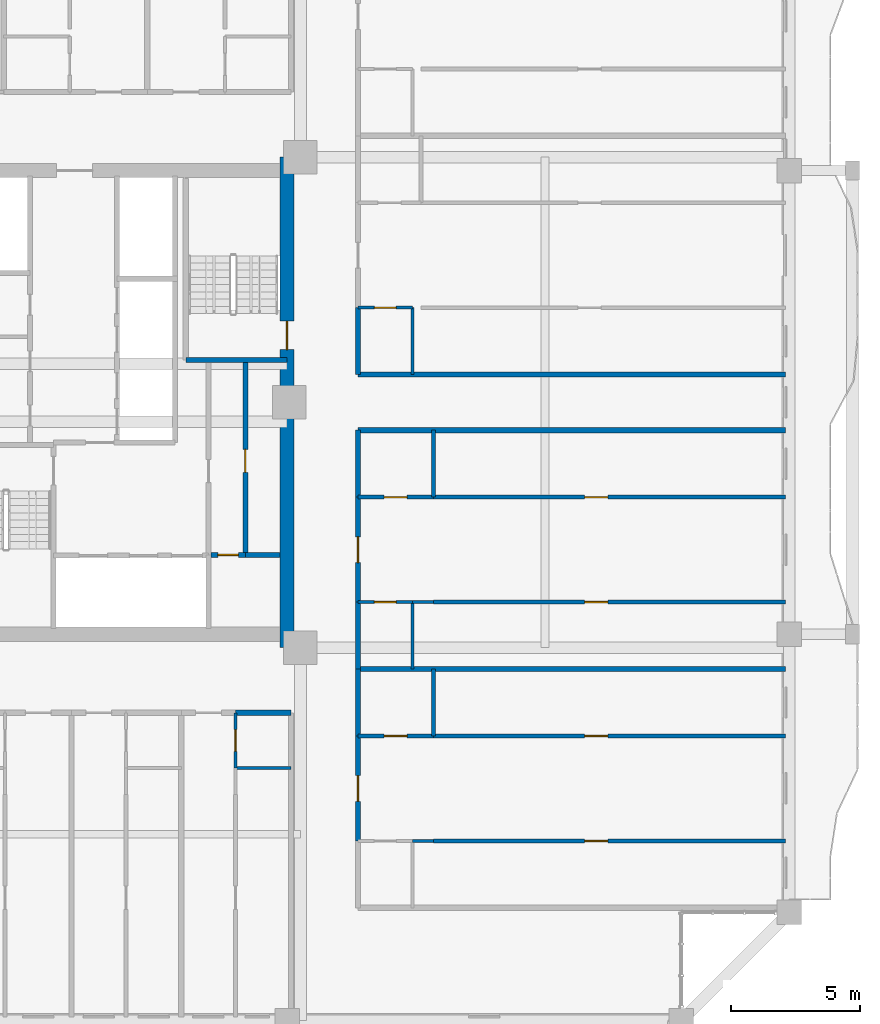
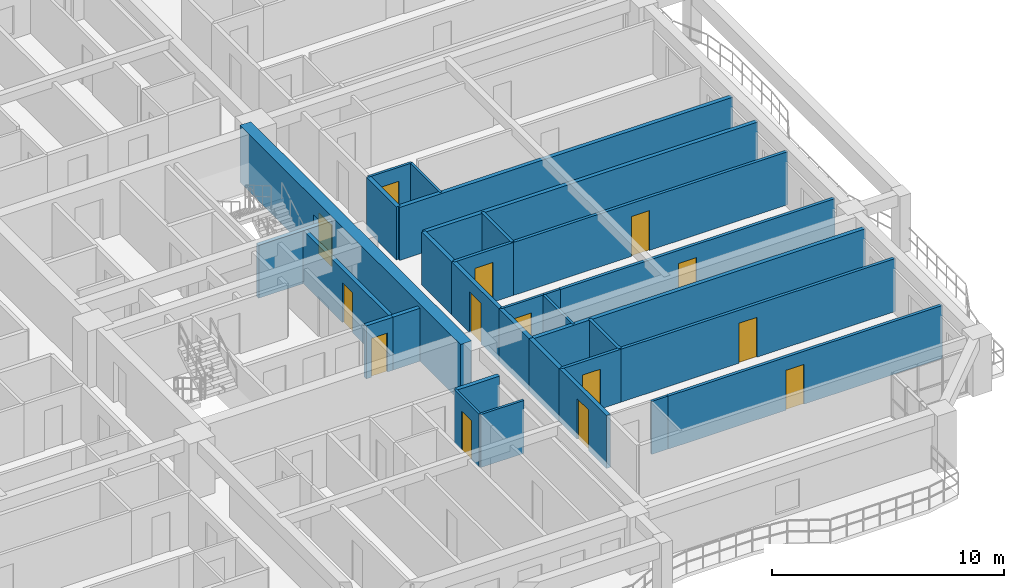
# One storey, part 17 of 25: 31 walls, 14 doors, 14 openings.
"""IFC4 building model written with IfcOpenShell, lengths in metres."""

from ifc_helpers import new_model, si_unit, direction, frame, frame_2d, origin, place, context, subcontext, project, spatial, rectangle, extrude, source, transform, mapped, material, layer, layer_set, type_object, element, fill, save


model = new_model("IFC4")

# Units and contexts
model_context = context("Model", 3, precision=1e-05, world=origin(), true_north=direction((0.0, 1.0)))
body_context = subcontext(model_context, "Body", "Model", "MODEL_VIEW")
ifc_project = project(units=[si_unit("LENGTHUNIT", "METRE"), si_unit("AREAUNIT", "SQUARE_METRE"), si_unit("VOLUMEUNIT", "CUBIC_METRE"), si_unit("PLANEANGLEUNIT", "RADIAN"), si_unit("MASSUNIT", "GRAM", prefix="KILO")], contexts=[model_context])

# Site, building, storey
site_placement = place(None, origin())
site = spatial("IfcSite", under=ifc_project, at=site_placement, CompositionType="ELEMENT")
building_placement = place(site_placement, origin())
building = spatial("IfcBuilding", under=site, at=building_placement, Name="Saelheon Loggia Tower", CompositionType="ELEMENT")
storey_placement = place(building_placement, frame((0.0, 0.0, 107.85009765625)))
storey = spatial("IfcBuildingStorey", under=building, at=storey_placement, Name="L34", CompositionType="ELEMENT", Elevation=107.85009765625)

# Wall, opening, door
ifc_material_1 = material(Name="Concrete C50/60", Category="concrete")
ifc_layer_1 = layer(ifc_material_1, 0.550048828125)
ifc_layer_set_1 = layer_set([ifc_layer_1], Name="Concrete C50/60")
wall_type_1 = type_object("IfcWallType", Name="Wall_CoreShear_550", PredefinedType="SHEAR", material=ifc_layer_set_1)
wall_1_placement = place(storey_placement, frame((44.5, 17.47998046875, 0.0), z_axis=(0.0, 0.0, 1.0), x_axis=(0.0, 1.0, 0.0)))
wall_1 = element("IfcWall", 1, at=wall_1_placement, inside=storey, type_object=wall_type_1, Name="L34 Core Shear Wall East", PredefinedType="SHEAR", context=body_context, shape_type="SweptSolid", body=[
    extrude(rectangle(XDim=19.0400390625, YDim=0.550048828125, at=frame_2d((9.52001953125, 0.0))), origin(), (0.0, 0.0, 1.0), 3.0),
])
opening_1_placement = place(wall_1_placement, frame((12.670166015625, 0.0, 0.0), z_axis=(0.0, 0.0, 1.0), x_axis=(-1.0, 0.0, 0.0)))
opening_1 = element("IfcOpeningElement", 2, at=opening_1_placement, cuts=wall_1, Name="Opening D-FD2", PredefinedType="OPENING", context=body_context, shape_type="SweptSolid", body=[
    extrude(rectangle(XDim=1.10009765625, YDim=2.14990234375, at=frame_2d((0.550048828125, 1.074951171875))), frame((0.0, 0.287109375, 0.0), z_axis=(0.0, -1.0, 0.0), x_axis=(1.0, 0.0, 0.0)), (0.0, 0.0, 1.0), 0.573974609375),
])
ifc_material_2 = material(Name="Galvanised Steel Fire Door", Category="steel")
door_type_1 = type_object("IfcDoorType", Name="Door_Fire_FD60_1100", OperationType="NOTDEFINED", PredefinedType="DOOR", material=ifc_material_2)
shared_shape_1 = source(origin(), body_context, "Body", "SweptSolid", [
    extrude(rectangle(XDim=1.10009765625, YDim=2.14990234375, at=frame_2d((0.550048828125, 1.074951171875))), frame((0.0, 0.02490234375, 0.0), z_axis=(0.0, -1.0, 0.0), x_axis=(1.0, 0.0, 0.0)), (0.0, 0.0, 1.0), 0.050048828125),
])
door_1_placement = place(opening_1_placement, origin())
door_1 = element("IfcDoor", 3, at=door_1_placement, inside=storey, type_object=door_type_1, Name="L34 Stair ST2 Corridor Door", OperationType="SINGLE_SWING_RIGHT", OverallHeight=2.14990234375, OverallWidth=1.10009765625, PredefinedType="DOOR", context=body_context, shape_type="MappedRepresentation", body=[
    mapped(shared_shape_1, transform((0.0, 0.0, 0.0), scale=1.0)),
])
fill(opening_1, door_1)

# Wall
ifc_material_3 = material(Name="Lightweight Autoclaved Aerated Concrete Block and Acoustic Gypsum", Category="concrete")
ifc_layer_2 = layer(ifc_material_3, 0.14990234375)
ifc_layer_set_2 = layer_set([ifc_layer_2], Name="Lightweight Autoclaved Aerated Concrete Block and Acoustic Gypsum")
wall_type_2 = type_object("IfcWallType", Name="Wall_Part_150", PredefinedType="PARTITIONING", material=ifc_layer_set_2)
wall_2_placement = place(storey_placement, frame((50.179931640625, 14.050048828125, 0.0), z_axis=(0.0, 0.0, 1.0), x_axis=(0.0, 1.0, 0.0)))
element("IfcWall", 4, at=wall_2_placement, inside=storey, type_object=wall_type_2, Name="L34 ES Partition V07", PredefinedType="PARTITIONING", context=body_context, shape_type="SweptSolid", body=[
    extrude(rectangle(XDim=2.599853515625, YDim=0.14990234375, at=frame_2d((1.2998046875, 0.0))), origin(), (0.0, 0.0, 1.0), 2.789794921875),
])

# Wall, opening, door
wall_3_placement = place(storey_placement, frame((50.179931640625, 9.9755859375, 0.0), z_axis=(0.0, 0.0, 1.0), x_axis=(1.0, 0.0, 0.0)))
wall_3 = element("IfcWall", 5, at=wall_3_placement, inside=storey, type_object=wall_type_2, Name="L34 ES Partition U10", PredefinedType="PARTITIONING", context=body_context, shape_type="SweptSolid", body=[
    extrude(rectangle(XDim=13.670166015625, YDim=0.14990234375, at=frame_2d((6.8349609375, 0.0))), origin(), (0.0, 0.0, 1.0), 2.789794921875),
])
opening_2_placement = place(wall_3_placement, frame((5.872802734375, 0.0, 0.0)))
opening_2 = element("IfcOpeningElement", 6, at=opening_2_placement, cuts=wall_3, Name="Opening D-IN2", PredefinedType="OPENING", context=body_context, shape_type="SweptSolid", body=[
    extrude(rectangle(XDim=0.89990234375, YDim=2.10009765625, at=frame_2d((0.449951171875, 1.050048828125))), frame((0.0, 0.0869140625, 0.0), z_axis=(0.0, -1.0, 0.0), x_axis=(1.0, 0.0, 0.0)), (0.0, 0.0, 1.0), 0.173828125),
])
ifc_material_4 = material(Name="Engineered Oak Flush Door", Category="timber")
door_type_2 = type_object("IfcDoorType", Name="Door_Int_900", OperationType="NOTDEFINED", PredefinedType="DOOR", material=ifc_material_4)
shared_shape_2 = source(origin(), body_context, "Body", "SweptSolid", [
    extrude(rectangle(XDim=0.89990234375, YDim=2.10009765625, at=frame_2d((0.449951171875, 1.050048828125))), frame((0.0, 0.02490234375, 0.0), z_axis=(0.0, -1.0, 0.0), x_axis=(1.0, 0.0, 0.0)), (0.0, 0.0, 1.0), 0.050048828125),
])
door_2_placement = place(opening_2_placement, origin())
door_2 = element("IfcDoor", 7, at=door_2_placement, inside=storey, type_object=door_type_2, Name="Unit U10 Kitchen Door", OperationType="SINGLE_SWING_RIGHT", OverallHeight=2.10009765625, OverallWidth=0.89990234375, PredefinedType="DOOR", context=body_context, shape_type="MappedRepresentation", body=[
    mapped(shared_shape_2, transform((0.0, 0.0, 0.0), scale=1.0)),
])
fill(opening_2, door_2)

wall_4_placement = place(storey_placement, frame((47.25, 14.050048828125, 0.0), z_axis=(0.0, 0.0, 1.0), x_axis=(1.0, 0.0, 0.0)))
wall_4 = element("IfcWall", 8, at=wall_4_placement, inside=storey, type_object=wall_type_2, Name="L34 ES Partition U11", PredefinedType="PARTITIONING", context=body_context, shape_type="SweptSolid", body=[
    extrude(rectangle(XDim=2.929931640625, YDim=0.14990234375, at=frame_2d((1.46484375, 0.0))), origin(), (0.0, 0.0, 1.0), 2.789794921875),
])
opening_3_placement = place(wall_4_placement, frame((1.014892578125, 0.0, 0.0)))
opening_3 = element("IfcOpeningElement", 9, at=opening_3_placement, cuts=wall_4, Name="Opening D-IN2", PredefinedType="OPENING", context=body_context, shape_type="SweptSolid", body=[
    extrude(rectangle(XDim=0.89990234375, YDim=2.10009765625, at=frame_2d((0.449951171875, 1.050048828125))), frame((0.0, 0.0869140625, 0.0), z_axis=(0.0, -1.0, 0.0), x_axis=(1.0, 0.0, 0.0)), (0.0, 0.0, 1.0), 0.173828125),
])
door_3_placement = place(opening_3_placement, origin())
door_3 = element("IfcDoor", 10, at=door_3_placement, inside=storey, type_object=door_type_2, Name="Unit U10 Dressing Closet Door", OperationType="SINGLE_SWING_LEFT", OverallHeight=2.10009765625, OverallWidth=0.89990234375, PredefinedType="DOOR", context=body_context, shape_type="MappedRepresentation", body=[
    mapped(shared_shape_2, transform((0.0, 0.0, 0.0), scale=1.0)),
])
fill(opening_3, door_3)

wall_5_placement = place(storey_placement, frame((50.179931640625, 14.050048828125, 0.0), z_axis=(0.0, 0.0, 1.0), x_axis=(1.0, 0.0, 0.0)))
wall_5 = element("IfcWall", 11, at=wall_5_placement, inside=storey, type_object=wall_type_2, Name="L34 ES Partition U12", PredefinedType="PARTITIONING", context=body_context, shape_type="SweptSolid", body=[
    extrude(rectangle(XDim=13.670166015625, YDim=0.14990234375, at=frame_2d((6.8349609375, 0.0))), origin(), (0.0, 0.0, 1.0), 2.789794921875),
])
opening_4_placement = place(wall_5_placement, frame((5.872802734375, 0.0, 0.0)))
opening_4 = element("IfcOpeningElement", 12, at=opening_4_placement, cuts=wall_5, Name="Opening D-IN2", PredefinedType="OPENING", context=body_context, shape_type="SweptSolid", body=[
    extrude(rectangle(XDim=0.89990234375, YDim=2.10009765625, at=frame_2d((0.449951171875, 1.050048828125))), frame((0.0, 0.0869140625, 0.0), z_axis=(0.0, -1.0, 0.0), x_axis=(1.0, 0.0, 0.0)), (0.0, 0.0, 1.0), 0.173828125),
])
door_4_placement = place(opening_4_placement, origin())
door_4 = element("IfcDoor", 13, at=door_4_placement, inside=storey, type_object=door_type_2, Name="Unit U10 Bedroom 1 Door", OperationType="SINGLE_SWING_RIGHT", OverallHeight=2.10009765625, OverallWidth=0.89990234375, PredefinedType="DOOR", context=body_context, shape_type="MappedRepresentation", body=[
    mapped(shared_shape_2, transform((0.0, 0.0, 0.0), scale=1.0)),
])
fill(opening_4, door_4)

# Wall
wall_6_placement = place(storey_placement, frame((50.179931640625, 23.320068359375, 0.0), z_axis=(0.0, 0.0, 1.0), x_axis=(0.0, 1.0, 0.0)))
element("IfcWall", 14, at=wall_6_placement, inside=storey, type_object=wall_type_2, Name="L34 ES Partition V18", PredefinedType="PARTITIONING", context=body_context, shape_type="SweptSolid", body=[
    extrude(rectangle(XDim=2.599853515625, YDim=0.14990234375, at=frame_2d((1.2998046875, 0.0))), origin(), (0.0, 0.0, 1.0), 2.789794921875),
])

# Wall, opening, door
wall_7_placement = place(storey_placement, frame((50.179931640625, 19.24560546875, 0.0), z_axis=(0.0, 0.0, 1.0), x_axis=(1.0, 0.0, 0.0)))
wall_7 = element("IfcWall", 15, at=wall_7_placement, inside=storey, type_object=wall_type_2, Name="L34 ES Partition U21", PredefinedType="PARTITIONING", context=body_context, shape_type="SweptSolid", body=[
    extrude(rectangle(XDim=13.670166015625, YDim=0.14990234375, at=frame_2d((6.8349609375, 0.0))), origin(), (0.0, 0.0, 1.0), 2.789794921875),
])
opening_5_placement = place(wall_7_placement, frame((5.872802734375, 0.0, 0.0)))
opening_5 = element("IfcOpeningElement", 16, at=opening_5_placement, cuts=wall_7, Name="Opening D-IN2", PredefinedType="OPENING", context=body_context, shape_type="SweptSolid", body=[
    extrude(rectangle(XDim=0.89990234375, YDim=2.10009765625, at=frame_2d((0.449951171875, 1.050048828125))), frame((0.0, 0.0869140625, 0.0), z_axis=(0.0, -1.0, 0.0), x_axis=(1.0, 0.0, 0.0)), (0.0, 0.0, 1.0), 0.173828125),
])
door_5_placement = place(opening_5_placement, origin())
door_5 = element("IfcDoor", 17, at=door_5_placement, inside=storey, type_object=door_type_2, Name="Unit U11 Kitchen Door", OperationType="SINGLE_SWING_LEFT", OverallHeight=2.10009765625, OverallWidth=0.89990234375, PredefinedType="DOOR", context=body_context, shape_type="MappedRepresentation", body=[
    mapped(shared_shape_2, transform((0.0, 0.0, 0.0), scale=1.0)),
])
fill(opening_5, door_5)

wall_8_placement = place(storey_placement, frame((47.25, 23.320068359375, 0.0), z_axis=(0.0, 0.0, 1.0), x_axis=(1.0, 0.0, 0.0)))
wall_8 = element("IfcWall", 18, at=wall_8_placement, inside=storey, type_object=wall_type_2, Name="L34 ES Partition U22", PredefinedType="PARTITIONING", context=body_context, shape_type="SweptSolid", body=[
    extrude(rectangle(XDim=2.929931640625, YDim=0.14990234375, at=frame_2d((1.46484375, 0.0))), origin(), (0.0, 0.0, 1.0), 2.789794921875),
])
opening_6_placement = place(wall_8_placement, frame((1.014892578125, 0.0, 0.0)))
opening_6 = element("IfcOpeningElement", 19, at=opening_6_placement, cuts=wall_8, Name="Opening D-IN2", PredefinedType="OPENING", context=body_context, shape_type="SweptSolid", body=[
    extrude(rectangle(XDim=0.89990234375, YDim=2.10009765625, at=frame_2d((0.449951171875, 1.050048828125))), frame((0.0, 0.0869140625, 0.0), z_axis=(0.0, -1.0, 0.0), x_axis=(1.0, 0.0, 0.0)), (0.0, 0.0, 1.0), 0.173828125),
])
door_6_placement = place(opening_6_placement, origin())
door_6 = element("IfcDoor", 20, at=door_6_placement, inside=storey, type_object=door_type_2, Name="Unit U11 Dressing Closet Door", OperationType="SINGLE_SWING_RIGHT", OverallHeight=2.10009765625, OverallWidth=0.89990234375, PredefinedType="DOOR", context=body_context, shape_type="MappedRepresentation", body=[
    mapped(shared_shape_2, transform((0.0, 0.0, 0.0), scale=1.0)),
])
fill(opening_6, door_6)

wall_9_placement = place(storey_placement, frame((50.179931640625, 23.320068359375, 0.0), z_axis=(0.0, 0.0, 1.0), x_axis=(1.0, 0.0, 0.0)))
wall_9 = element("IfcWall", 21, at=wall_9_placement, inside=storey, type_object=wall_type_2, Name="L34 ES Partition U23", PredefinedType="PARTITIONING", context=body_context, shape_type="SweptSolid", body=[
    extrude(rectangle(XDim=13.670166015625, YDim=0.14990234375, at=frame_2d((6.8349609375, 0.0))), origin(), (0.0, 0.0, 1.0), 2.789794921875),
])
opening_7_placement = place(wall_9_placement, frame((5.872802734375, 0.0, 0.0)))
opening_7 = element("IfcOpeningElement", 22, at=opening_7_placement, cuts=wall_9, Name="Opening D-IN2", PredefinedType="OPENING", context=body_context, shape_type="SweptSolid", body=[
    extrude(rectangle(XDim=0.89990234375, YDim=2.10009765625, at=frame_2d((0.449951171875, 1.050048828125))), frame((0.0, 0.0869140625, 0.0), z_axis=(0.0, -1.0, 0.0), x_axis=(1.0, 0.0, 0.0)), (0.0, 0.0, 1.0), 0.173828125),
])
door_7_placement = place(opening_7_placement, origin())
door_7 = element("IfcDoor", 23, at=door_7_placement, inside=storey, type_object=door_type_2, Name="Unit U11 Bedroom 1 Door", OperationType="SINGLE_SWING_LEFT", OverallHeight=2.10009765625, OverallWidth=0.89990234375, PredefinedType="DOOR", context=body_context, shape_type="MappedRepresentation", body=[
    mapped(shared_shape_2, transform((0.0, 0.0, 0.0), scale=1.0)),
])
fill(opening_7, door_7)

# Walls
ifc_material_5 = material(Name="Double Acoustic Stud and Fireboard Partition", Category="gypsum")
ifc_layer_3 = layer(ifc_material_5, 0.199951171875)
ifc_layer_set_3 = layer_set([ifc_layer_3], Name="Double Acoustic Stud and Fireboard Partition")
wall_type_3 = type_object("IfcWallType", Name="Wall_Party_200", PredefinedType="PARTITIONING", material=ifc_layer_set_3)
wall_10_placement = place(storey_placement, frame((42.5, 14.949951171875, 0.0), z_axis=(0.0, 0.0, 1.0), x_axis=(1.0, 0.0, 0.0)))
element("IfcWall", 24, at=wall_10_placement, inside=storey, type_object=wall_type_3, Name="L34 S Partition V18", PredefinedType="PARTITIONING", context=body_context, shape_type="SweptSolid", body=[
    extrude(rectangle(XDim=2.14990234375, YDim=0.199951171875, at=frame_2d((1.074951171875, 0.0))), origin(), (0.0, 0.0, 1.0), 2.789794921875),
])
wall_11_placement = place(storey_placement, frame((47.25, 25.919921875, 0.0), z_axis=(0.0, 0.0, 1.0), x_axis=(1.0, 0.0, 0.0)))
element("IfcWall", 25, at=wall_11_placement, inside=storey, type_object=wall_type_3, Name="L34 ES Partition U02", PredefinedType="PARTITIONING", context=body_context, shape_type="SweptSolid", body=[
    extrude(rectangle(XDim=16.60009765625, YDim=0.199951171875, at=frame_2d((8.300048828125, 0.0))), origin(), (0.0, 0.0, 1.0), 2.789794921875),
])

# Wall, opening, door
wall_12_placement = place(storey_placement, frame((47.25, 9.9755859375, 0.0), z_axis=(0.0, 0.0, 1.0), x_axis=(0.0, 1.0, 0.0)))
wall_12 = element("IfcWall", 26, at=wall_12_placement, inside=storey, type_object=wall_type_3, Name="L34 ES Partition V04", PredefinedType="PARTITIONING", context=body_context, shape_type="SweptSolid", body=[
    extrude(rectangle(XDim=4.074462890625, YDim=0.199951171875, at=frame_2d((2.037109375, 0.0))), origin(), (0.0, 0.0, 1.0), 2.789794921875),
])
opening_8_placement = place(wall_12_placement, frame((1.537109375, 0.0, 0.0)))
opening_8 = element("IfcOpeningElement", 27, at=opening_8_placement, cuts=wall_12, Name="Opening D-FD1", PredefinedType="OPENING", context=body_context, shape_type="SweptSolid", body=[
    extrude(rectangle(XDim=1.0, YDim=2.14990234375, at=frame_2d((0.5, 1.074951171875))), frame((0.0, 0.112060546875, 0.0), z_axis=(0.0, -1.0, 0.0), x_axis=(1.0, 0.0, 0.0)), (0.0, 0.0, 1.0), 0.223876953125),
])
ifc_material_6 = material(Name="Fire-Rated Engineered Timber Entrance Door", Category="wood")
door_type_3 = type_object("IfcDoorType", Name="Door_Flat_FD30S", OperationType="NOTDEFINED", PredefinedType="DOOR", material=ifc_material_6)
shared_shape_3 = source(origin(), body_context, "Body", "SweptSolid", [
    extrude(rectangle(XDim=1.0, YDim=2.14990234375, at=frame_2d((0.5, 1.074951171875))), frame((0.0, 0.02490234375, 0.0), z_axis=(0.0, -1.0, 0.0), x_axis=(1.0, 0.0, 0.0)), (0.0, 0.0, 1.0), 0.050048828125),
])
door_8_placement = place(opening_8_placement, origin())
door_8 = element("IfcDoor", 28, at=door_8_placement, inside=storey, type_object=door_type_3, Name="Unit U10 Entrance Door", OperationType="SINGLE_SWING_RIGHT", OverallHeight=2.14990234375, OverallWidth=1.0, PredefinedType="DOOR", context=body_context, shape_type="MappedRepresentation", body=[
    mapped(shared_shape_3, transform((0.0, 0.0, 0.0), scale=1.0)),
])
fill(opening_8, door_8)

# Walls
wall_13_placement = place(storey_placement, frame((47.25, 14.050048828125, 0.0), z_axis=(0.0, 0.0, 1.0), x_axis=(0.0, 1.0, 0.0)))
element("IfcWall", 29, at=wall_13_placement, inside=storey, type_object=wall_type_3, Name="L34 ES Partition V05", PredefinedType="PARTITIONING", context=body_context, shape_type="SweptSolid", body=[
    extrude(rectangle(XDim=2.599853515625, YDim=0.199951171875, at=frame_2d((1.2998046875, 0.0))), origin(), (0.0, 0.0, 1.0), 2.789794921875),
])
wall_14_placement = place(storey_placement, frame((47.25, 16.64990234375, 0.0), z_axis=(0.0, 0.0, 1.0), x_axis=(1.0, 0.0, 0.0)))
element("IfcWall", 30, at=wall_14_placement, inside=storey, type_object=wall_type_3, Name="L34 ES Partition U13", PredefinedType="PARTITIONING", context=body_context, shape_type="SweptSolid", body=[
    extrude(rectangle(XDim=16.60009765625, YDim=0.199951171875, at=frame_2d((8.300048828125, 0.0))), origin(), (0.0, 0.0, 1.0), 2.789794921875),
])
wall_15_placement = place(storey_placement, frame((47.25, 16.64990234375, 0.0), z_axis=(0.0, 0.0, 1.0), x_axis=(0.0, 1.0, 0.0)))
element("IfcWall", 31, at=wall_15_placement, inside=storey, type_object=wall_type_3, Name="L34 ES Partition V14", PredefinedType="PARTITIONING", context=body_context, shape_type="SweptSolid", body=[
    extrude(rectangle(XDim=2.595703125, YDim=0.199951171875, at=frame_2d((1.2978515625, 0.0))), origin(), (0.0, 0.0, 1.0), 2.789794921875),
])

# Wall, opening, door
wall_16_placement = place(storey_placement, frame((47.25, 19.24560546875, 0.0), z_axis=(0.0, 0.0, 1.0), x_axis=(0.0, 1.0, 0.0)))
wall_16 = element("IfcWall", 32, at=wall_16_placement, inside=storey, type_object=wall_type_3, Name="L34 ES Partition V15", PredefinedType="PARTITIONING", context=body_context, shape_type="SweptSolid", body=[
    extrude(rectangle(XDim=4.074462890625, YDim=0.199951171875, at=frame_2d((2.037109375, 0.0))), origin(), (0.0, 0.0, 1.0), 2.789794921875),
])
opening_9_placement = place(wall_16_placement, frame((1.537109375, 0.0, 0.0)))
opening_9 = element("IfcOpeningElement", 33, at=opening_9_placement, cuts=wall_16, Name="Opening D-FD1", PredefinedType="OPENING", context=body_context, shape_type="SweptSolid", body=[
    extrude(rectangle(XDim=1.0, YDim=2.14990234375, at=frame_2d((0.5, 1.074951171875))), frame((0.0, 0.112060546875, 0.0), z_axis=(0.0, -1.0, 0.0), x_axis=(1.0, 0.0, 0.0)), (0.0, 0.0, 1.0), 0.223876953125),
])
door_9_placement = place(opening_9_placement, origin())
door_9 = element("IfcDoor", 34, at=door_9_placement, inside=storey, type_object=door_type_3, Name="Unit U11 Entrance Door", OperationType="SINGLE_SWING_LEFT", OverallHeight=2.14990234375, OverallWidth=1.0, PredefinedType="DOOR", context=body_context, shape_type="MappedRepresentation", body=[
    mapped(shared_shape_3, transform((0.0, 0.0, 0.0), scale=1.0)),
])
fill(opening_9, door_9)

# Walls
wall_17_placement = place(storey_placement, frame((47.25, 23.320068359375, 0.0), z_axis=(0.0, 0.0, 1.0), x_axis=(0.0, 1.0, 0.0)))
element("IfcWall", 35, at=wall_17_placement, inside=storey, type_object=wall_type_3, Name="L34 ES Partition V16", PredefinedType="PARTITIONING", context=body_context, shape_type="SweptSolid", body=[
    extrude(rectangle(XDim=2.599853515625, YDim=0.199951171875, at=frame_2d((1.2998046875, 0.0))), origin(), (0.0, 0.0, 1.0), 2.789794921875),
])
wall_18_placement = place(storey_placement, frame((47.25, 28.080078125, 0.0), z_axis=(0.0, 0.0, 1.0), x_axis=(1.0, 0.0, 0.0)))
element("IfcWall", 36, at=wall_18_placement, inside=storey, type_object=wall_type_3, Name="L34 EN Partition U01", PredefinedType="PARTITIONING", context=body_context, shape_type="SweptSolid", body=[
    extrude(rectangle(XDim=16.60009765625, YDim=0.199951171875, at=frame_2d((8.300048828125, 0.0))), origin(), (0.0, 0.0, 1.0), 2.789794921875),
])
wall_19_placement = place(storey_placement, frame((47.25, 28.080078125, 0.0), z_axis=(0.0, 0.0, 1.0), x_axis=(0.0, 1.0, 0.0)))
element("IfcWall", 37, at=wall_19_placement, inside=storey, type_object=wall_type_3, Name="L34 EN Partition V03", PredefinedType="PARTITIONING", context=body_context, shape_type="SweptSolid", body=[
    extrude(rectangle(XDim=2.595458984375, YDim=0.199951171875, at=frame_2d((1.2978515625, 0.0))), origin(), (0.0, 0.0, 1.0), 2.789794921875),
])

# Wall, opening, door
ifc_material_7 = material(Name="Concrete C40/50", Category="concrete")
ifc_layer_4 = layer(ifc_material_7, 0.199951171875)
ifc_layer_set_4 = layer_set([ifc_layer_4], Name="Concrete C40/50")
wall_type_4 = type_object("IfcWallType", Name="Wall_Shaft_200", PredefinedType="PARTITIONING", material=ifc_layer_set_4)
wall_20_placement = place(storey_placement, frame((41.550048828125, 21.080078125, 0.0), z_axis=(0.0, 0.0, 1.0), x_axis=(1.0, 0.0, 0.0)))
wall_20 = element("IfcWall", 38, at=wall_20_placement, inside=storey, type_object=wall_type_4, Name="CW-BOH-L34-HS", PredefinedType="PARTITIONING", context=body_context, shape_type="SweptSolid", body=[
    extrude(rectangle(XDim=1.329833984375, YDim=0.199951171875, at=frame_2d((0.6650390625, 0.0))), origin(), (0.0, 0.0, 1.0), 2.789794921875),
])
opening_10_placement = place(wall_20_placement, frame((0.260009765625, 0.0, 0.0)))
opening_10 = element("IfcOpeningElement", 39, at=opening_10_placement, cuts=wall_20, Name="Opening D-ST1", PredefinedType="OPENING", context=body_context, shape_type="SweptSolid", body=[
    extrude(rectangle(XDim=0.800048828125, YDim=2.050048828125, at=frame_2d((0.39990234375, 1.02490234375))), frame((0.0, 0.112060546875, 0.0), z_axis=(0.0, -1.0, 0.0), x_axis=(1.0, 0.0, 0.0)), (0.0, 0.0, 1.0), 0.223876953125),
])
ifc_material_8 = material(Name="Powder-Coated Steel Store Door", Category="steel")
door_type_4 = type_object("IfcDoorType", Name="Door_Store_800", OperationType="NOTDEFINED", PredefinedType="DOOR", material=ifc_material_8)
shared_shape_4 = source(origin(), body_context, "Body", "SweptSolid", [
    extrude(rectangle(XDim=0.800048828125, YDim=2.050048828125, at=frame_2d((0.39990234375, 1.02490234375))), frame((0.0, 0.02490234375, 0.0), z_axis=(0.0, -1.0, 0.0), x_axis=(1.0, 0.0, 0.0)), (0.0, 0.0, 1.0), 0.050048828125),
])
door_10_placement = place(opening_10_placement, origin())
door_10 = element("IfcDoor", 40, at=door_10_placement, inside=storey, type_object=door_type_4, Name="L34 Electrical Riser Door", OperationType="SINGLE_SWING_RIGHT", OverallHeight=2.050048828125, OverallWidth=0.800048828125, PredefinedType="DOOR", context=body_context, shape_type="MappedRepresentation", body=[
    mapped(shared_shape_4, transform((0.0, 0.0, 0.0), scale=1.0)),
])
fill(opening_10, door_10)

# Wall
wall_21_placement = place(storey_placement, frame((42.8798828125, 21.080078125, 0.0), z_axis=(0.0, 0.0, 1.0), x_axis=(1.0, 0.0, 0.0)))
element("IfcWall", 41, at=wall_21_placement, inside=storey, type_object=wall_type_4, Name="CW-BOH-L34-HS2", PredefinedType="PARTITIONING", context=body_context, shape_type="SweptSolid", body=[
    extrude(rectangle(XDim=1.340087890625, YDim=0.199951171875, at=frame_2d((0.669921875, 0.0))), origin(), (0.0, 0.0, 1.0), 2.789794921875),
])

# Wall, opening, door
wall_22_placement = place(storey_placement, frame((42.8798828125, 21.080078125, 0.0), z_axis=(0.0, 0.0, 1.0), x_axis=(0.0, 1.0, 0.0)))
wall_22 = element("IfcWall", 42, at=wall_22_placement, inside=storey, type_object=wall_type_4, Name="CW-BOH-L34-VS", PredefinedType="PARTITIONING", context=body_context, shape_type="SweptSolid", body=[
    extrude(rectangle(XDim=7.469970703125, YDim=0.199951171875, at=frame_2d((3.73486328125, 0.0))), origin(), (0.0, 0.0, 1.0), 2.789794921875),
])
opening_11_placement = place(wall_22_placement, frame((3.199951171875, 0.0, 0.0)))
opening_11 = element("IfcOpeningElement", 43, at=opening_11_placement, cuts=wall_22, Name="Opening D-RS1", PredefinedType="OPENING", context=body_context, shape_type="SweptSolid", body=[
    extrude(rectangle(XDim=0.89990234375, YDim=2.10009765625, at=frame_2d((0.449951171875, 1.050048828125))), frame((0.0, 0.112060546875, 0.0), z_axis=(0.0, -1.0, 0.0), x_axis=(1.0, 0.0, 0.0)), (0.0, 0.0, 1.0), 0.223876953125),
])
ifc_material_9 = material(Name="Galvanised Steel Riser Access Door", Category="steel")
door_type_5 = type_object("IfcDoorType", Name="Door_Riser_FD60", OperationType="NOTDEFINED", PredefinedType="DOOR", material=ifc_material_9)
door_11_placement = place(opening_11_placement, origin())
door_11 = element("IfcDoor", 44, at=door_11_placement, inside=storey, type_object=door_type_5, Name="L34 Linen Store Door", OperationType="SINGLE_SWING_LEFT", OverallHeight=2.10009765625, OverallWidth=0.89990234375, PredefinedType="DOOR", context=body_context, shape_type="MappedRepresentation", body=[
    mapped(shared_shape_2, transform((0.0, 0.0, 0.0), scale=1.0)),
])
fill(opening_11, door_11)

# Wall
ifc_material_10 = material(Name="Concrete C45/55", Category="concrete")
ifc_layer_5 = layer(ifc_material_10, 0.199951171875)
ifc_layer_set_5 = layer_set([ifc_layer_5], Name="Concrete C45/55")
wall_type_5 = type_object("IfcWallType", Name="Wall_StairShaft_RC200", PredefinedType="SOLIDWALL", material=ifc_layer_set_5)
wall_23_placement = place(storey_placement, frame((40.570068359375, 28.64990234375, 0.0), z_axis=(0.0, 0.0, 1.0), x_axis=(1.0, 0.0, 0.0)))
element("IfcWall", 45, at=wall_23_placement, inside=storey, type_object=wall_type_5, Name="L34 Stair ST2 South Wall", PredefinedType="SOLIDWALL", context=body_context, shape_type="SweptSolid", body=[
    extrude(rectangle(XDim=3.929931640625, YDim=0.199951171875, at=frame_2d((1.96484375, 0.0))), origin(), (0.0, 0.0, 1.0), 2.789794921875),
])

# Wall, opening, door
ifc_material_11 = material(Name="Moisture-Resistant Cement Board Partition", Category="gypsum")
ifc_layer_6 = layer(ifc_material_11, 0.1201171875)
ifc_layer_set_6 = layer_set([ifc_layer_6], Name="Moisture-Resistant Cement Board Partition")
wall_type_6 = type_object("IfcWallType", Name="Wall_WetPart_120", PredefinedType="PARTITIONING", material=ifc_layer_set_6)
wall_24_placement = place(storey_placement, frame((42.5, 14.949951171875, 0.0), z_axis=(0.0, 0.0, 1.0), x_axis=(0.0, -1.0, 0.0)))
wall_24 = element("IfcWall", 46, at=wall_24_placement, inside=storey, type_object=wall_type_6, Name="L34 S Partition U19", PredefinedType="PARTITIONING", context=body_context, shape_type="SweptSolid", body=[
    extrude(rectangle(XDim=2.14990234375, YDim=0.1201171875, at=frame_2d((1.074951171875, 0.0))), origin(), (0.0, 0.0, 1.0), 2.789794921875),
])
opening_12_placement = place(wall_24_placement, frame((0.64990234375, 0.0, 0.0)))
opening_12 = element("IfcOpeningElement", 47, at=opening_12_placement, cuts=wall_24, Name="Opening D-BT1", PredefinedType="OPENING", context=body_context, shape_type="SweptSolid", body=[
    extrude(rectangle(XDim=0.85009765625, YDim=2.050048828125, at=frame_2d((0.425048828125, 1.02490234375))), frame((0.0, 0.072021484375, 0.0), z_axis=(0.0, -1.0, 0.0), x_axis=(1.0, 0.0, 0.0)), (0.0, 0.0, 1.0), 0.14404296875),
])
ifc_material_12 = material(Name="Moisture-Resistant Laminate Timber Door", Category="wood")
door_type_6 = type_object("IfcDoorType", Name="Door_Bath_850", OperationType="NOTDEFINED", PredefinedType="DOOR", material=ifc_material_12)
shared_shape_5 = source(origin(), body_context, "Body", "SweptSolid", [
    extrude(rectangle(XDim=0.85009765625, YDim=2.050048828125, at=frame_2d((0.425048828125, 1.02490234375))), frame((0.0, 0.02490234375, 0.0), z_axis=(0.0, -1.0, 0.0), x_axis=(1.0, 0.0, 0.0)), (0.0, 0.0, 1.0), 0.050048828125),
])
door_12_placement = place(opening_12_placement, origin())
door_12 = element("IfcDoor", 48, at=door_12_placement, inside=storey, type_object=door_type_6, Name="Unit U03 Bathroom Door", OperationType="SINGLE_SWING_LEFT", OverallHeight=2.050048828125, OverallWidth=0.85009765625, PredefinedType="DOOR", context=body_context, shape_type="MappedRepresentation", body=[
    mapped(shared_shape_5, transform((0.0, 0.0, 0.0), scale=1.0)),
])
fill(opening_12, door_12)

# Walls
wall_25_placement = place(storey_placement, frame((42.5, 12.800048828125, 0.0), z_axis=(0.0, 0.0, 1.0), x_axis=(1.0, 0.0, 0.0)))
element("IfcWall", 49, at=wall_25_placement, inside=storey, type_object=wall_type_6, Name="L34 S Partition V21", PredefinedType="PARTITIONING", context=body_context, shape_type="SweptSolid", body=[
    extrude(rectangle(XDim=2.14990234375, YDim=0.1201171875, at=frame_2d((1.074951171875, 0.0))), origin(), (0.0, 0.0, 1.0), 2.789794921875),
])
wall_26_placement = place(storey_placement, frame((49.3701171875, 9.9755859375, 0.0), z_axis=(0.0, 0.0, 1.0), x_axis=(1.0, 0.0, 0.0)))
element("IfcWall", 50, at=wall_26_placement, inside=storey, type_object=wall_type_6, Name="L34 ES Partition U09", PredefinedType="PARTITIONING", context=body_context, shape_type="SweptSolid", body=[
    extrude(rectangle(XDim=0.809814453125, YDim=0.1201171875, at=frame_2d((0.40478515625, 0.0))), origin(), (0.0, 0.0, 1.0), 2.789794921875),
])
wall_27_placement = place(storey_placement, frame((49.3701171875, 16.64990234375, 0.0), z_axis=(0.0, 0.0, 1.0), x_axis=(0.0, 1.0, 0.0)))
element("IfcWall", 51, at=wall_27_placement, inside=storey, type_object=wall_type_6, Name="L34 ES Partition V17", PredefinedType="PARTITIONING", context=body_context, shape_type="SweptSolid", body=[
    extrude(rectangle(XDim=2.595703125, YDim=0.1201171875, at=frame_2d((1.2978515625, 0.0))), origin(), (0.0, 0.0, 1.0), 2.789794921875),
])

# Wall, opening, door
wall_28_placement = place(storey_placement, frame((47.25, 19.24560546875, 0.0), z_axis=(0.0, 0.0, 1.0), x_axis=(1.0, 0.0, 0.0)))
wall_28 = element("IfcWall", 52, at=wall_28_placement, inside=storey, type_object=wall_type_6, Name="L34 ES Partition U19", PredefinedType="PARTITIONING", context=body_context, shape_type="SweptSolid", body=[
    extrude(rectangle(XDim=2.1201171875, YDim=0.1201171875, at=frame_2d((1.06005859375, 0.0))), origin(), (0.0, 0.0, 1.0), 2.789794921875),
])
opening_13_placement = place(wall_28_placement, frame((0.635009765625, 0.0, 0.0)))
opening_13 = element("IfcOpeningElement", 53, at=opening_13_placement, cuts=wall_28, Name="Opening D-BT1", PredefinedType="OPENING", context=body_context, shape_type="SweptSolid", body=[
    extrude(rectangle(XDim=0.85009765625, YDim=2.050048828125, at=frame_2d((0.425048828125, 1.02490234375))), frame((0.0, 0.072021484375, 0.0), z_axis=(0.0, -1.0, 0.0), x_axis=(1.0, 0.0, 0.0)), (0.0, 0.0, 1.0), 0.14404296875),
])
door_13_placement = place(opening_13_placement, origin())
door_13 = element("IfcDoor", 54, at=door_13_placement, inside=storey, type_object=door_type_6, Name="Unit U11 Bathroom Door", OperationType="SINGLE_SWING_RIGHT", OverallHeight=2.050048828125, OverallWidth=0.85009765625, PredefinedType="DOOR", context=body_context, shape_type="MappedRepresentation", body=[
    mapped(shared_shape_5, transform((0.0, 0.0, 0.0), scale=1.0)),
])
fill(opening_13, door_13)

# Walls
wall_29_placement = place(storey_placement, frame((49.3701171875, 19.24560546875, 0.0), z_axis=(0.0, 0.0, 1.0), x_axis=(1.0, 0.0, 0.0)))
element("IfcWall", 55, at=wall_29_placement, inside=storey, type_object=wall_type_6, Name="L34 ES Partition U20", PredefinedType="PARTITIONING", context=body_context, shape_type="SweptSolid", body=[
    extrude(rectangle(XDim=0.809814453125, YDim=0.1201171875, at=frame_2d((0.40478515625, 0.0))), origin(), (0.0, 0.0, 1.0), 2.789794921875),
])
wall_30_placement = place(storey_placement, frame((49.3701171875, 28.080078125, 0.0), z_axis=(0.0, 0.0, 1.0), x_axis=(0.0, 1.0, 0.0)))
element("IfcWall", 56, at=wall_30_placement, inside=storey, type_object=wall_type_6, Name="L34 EN Partition V06", PredefinedType="PARTITIONING", context=body_context, shape_type="SweptSolid", body=[
    extrude(rectangle(XDim=2.595458984375, YDim=0.1201171875, at=frame_2d((1.2978515625, 0.0))), origin(), (0.0, 0.0, 1.0), 2.789794921875),
])

# Wall, opening, door
wall_31_placement = place(storey_placement, frame((47.25, 30.675537109375, 0.0), z_axis=(0.0, 0.0, 1.0), x_axis=(1.0, 0.0, 0.0)))
wall_31 = element("IfcWall", 57, at=wall_31_placement, inside=storey, type_object=wall_type_6, Name="L34 EN Partition U08", PredefinedType="PARTITIONING", context=body_context, shape_type="SweptSolid", body=[
    extrude(rectangle(XDim=2.1201171875, YDim=0.1201171875, at=frame_2d((1.06005859375, 0.0))), origin(), (0.0, 0.0, 1.0), 2.789794921875),
])
opening_14_placement = place(wall_31_placement, frame((0.635009765625, 0.0, 0.0)))
opening_14 = element("IfcOpeningElement", 58, at=opening_14_placement, cuts=wall_31, Name="Opening D-BT1", PredefinedType="OPENING", context=body_context, shape_type="SweptSolid", body=[
    extrude(rectangle(XDim=0.85009765625, YDim=2.050048828125, at=frame_2d((0.425048828125, 1.02490234375))), frame((0.0, 0.072021484375, 0.0), z_axis=(0.0, -1.0, 0.0), x_axis=(1.0, 0.0, 0.0)), (0.0, 0.0, 1.0), 0.14404296875),
])
door_14_placement = place(opening_14_placement, origin())
door_14 = element("IfcDoor", 59, at=door_14_placement, inside=storey, type_object=door_type_6, Name="Unit U12 Bathroom Door", OperationType="SINGLE_SWING_LEFT", OverallHeight=2.050048828125, OverallWidth=0.85009765625, PredefinedType="DOOR", context=body_context, shape_type="MappedRepresentation", body=[
    mapped(shared_shape_5, transform((0.0, 0.0, 0.0), scale=1.0)),
])
fill(opening_14, door_14)

save(model, "model.ifc")
